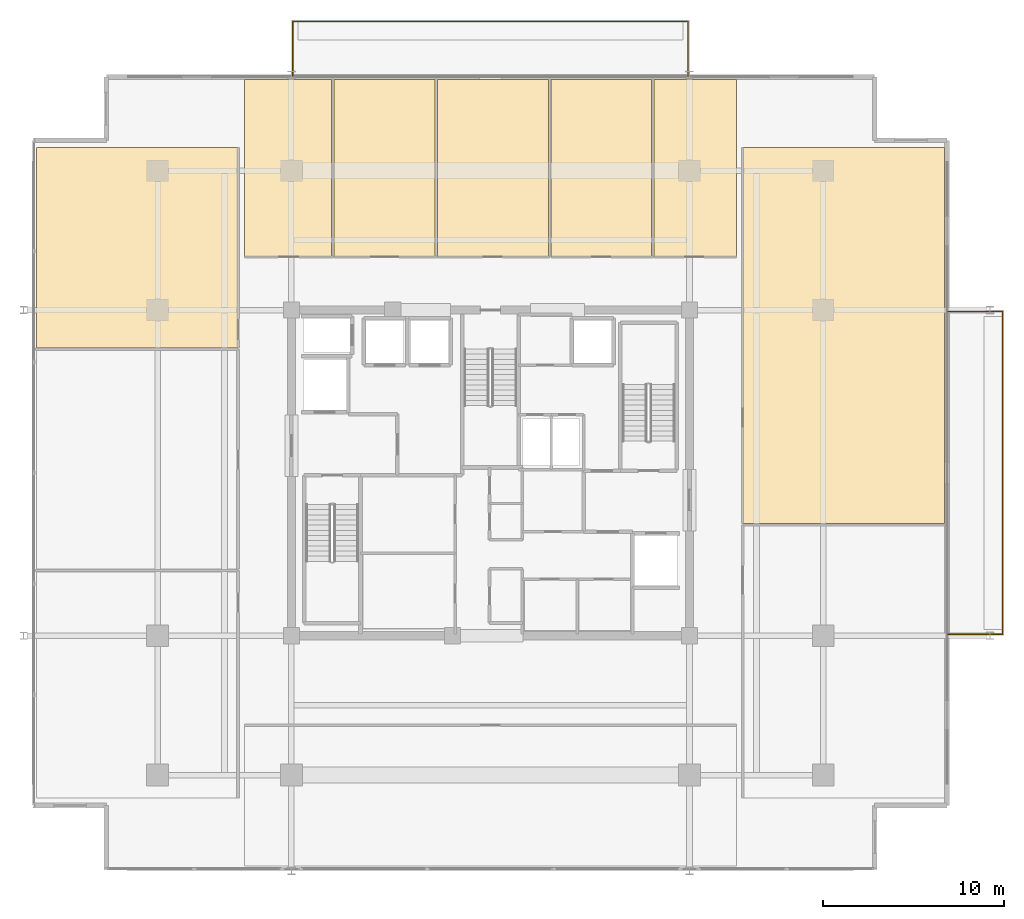
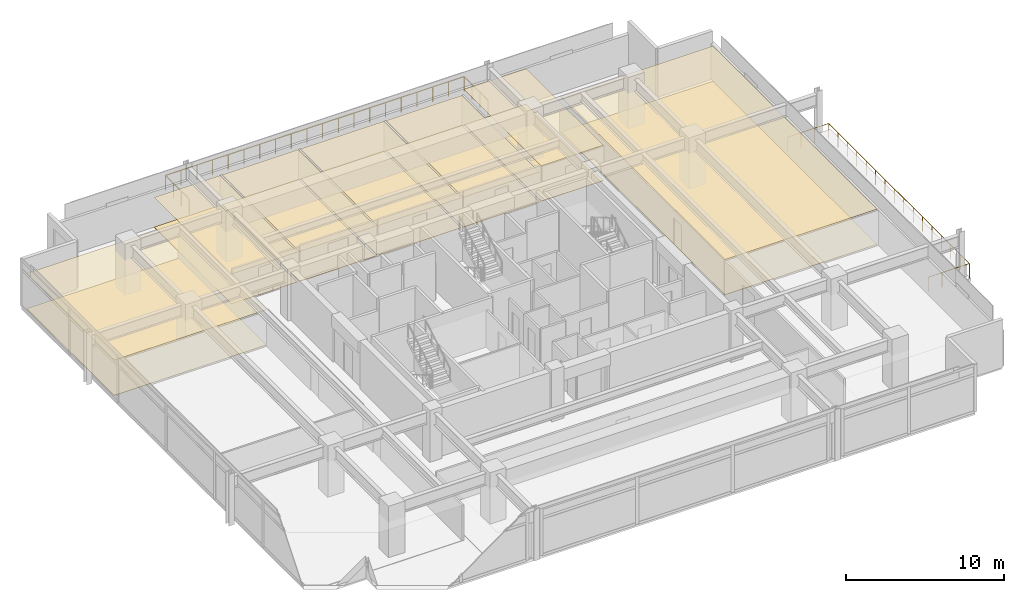
# One storey, part 20 of 20: 14 coverings, 2 railings.
"""IFC4 building model written with IfcOpenShell, lengths in metres."""

from ifc_helpers import new_model, si_unit, direction, frame, origin, origin_2d, place, context, subcontext, project, spatial, polyline, circle, outline, extrude, material, layer, layer_set, type_object, element, save


model = new_model("IFC4")

# Units and contexts
model_context = context("Model", 3, precision=1e-05, world=origin(), true_north=direction((0.0, 1.0)))
body_context = subcontext(model_context, "Body", "Model", "MODEL_VIEW")
ifc_project = project(units=[si_unit("LENGTHUNIT", "METRE"), si_unit("AREAUNIT", "SQUARE_METRE"), si_unit("VOLUMEUNIT", "CUBIC_METRE"), si_unit("PLANEANGLEUNIT", "RADIAN"), si_unit("MASSUNIT", "GRAM", prefix="KILO")], contexts=[model_context])

# Site, building, storey
site_placement = place(None, origin())
site = spatial("IfcSite", under=ifc_project, at=site_placement, CompositionType="ELEMENT")
building_placement = place(site_placement, origin())
building = spatial("IfcBuilding", under=site, at=building_placement, Name="Kovane Verandah Tower", CompositionType="ELEMENT")
storey_placement = place(building_placement, frame((0.0, 0.0, 291.199951171875)))
storey = spatial("IfcBuildingStorey", under=building, at=storey_placement, Name="L68", CompositionType="ELEMENT", Elevation=291.199951171875)

# Coverings
ifc_material_1 = material(Name="Perforated Acoustic Mineral-Fibre Ceiling Tile", Category="gypsum")
ifc_layer_1 = layer(ifc_material_1, 0.02490234375)
ifc_layer_set_1 = layer_set([ifc_layer_1], Name="Perforated Acoustic Mineral-Fibre Ceiling Tile")
covering_type_1 = type_object("IfcCoveringType", Name="CV-CEIL-25", PredefinedType="CEILING", material=ifc_layer_set_1)
covering_1_placement = place(storey_placement, frame((0.0, 0.0, 2.304931640625)))
element("IfcCovering", 1, at=covering_1_placement, inside=storey, type_object=covering_type_1, Name="L68 Executive Office N1 Acoustic Ceiling", PredefinedType="CEILING", context=body_context, shape_type="SweptSolid", body=[
    extrude(outline(polyline([(26.39990234375, 39.449951171875), (31.22607421875, 39.449951171875), (31.22607421875, 49.230712890625), (26.39990234375, 49.230712890625), (26.39990234375, 39.449951171875)])), origin(), (0.0, 0.0, 1.0), 0.025146484375),
])
covering_2_placement = place(storey_placement, frame((0.0, 0.0, 2.304931640625)))
element("IfcCovering", 2, at=covering_2_placement, inside=storey, type_object=covering_type_1, Name="L68 Client Boardroom N2 Acoustic Ceiling", PredefinedType="CEILING", context=body_context, shape_type="SweptSolid", body=[
    extrude(outline(polyline([(31.365966796875, 39.449951171875), (36.93798828125, 39.449951171875), (36.93798828125, 49.230712890625), (31.365966796875, 49.230712890625), (31.365966796875, 39.449951171875)])), origin(), (0.0, 0.0, 1.0), 0.025146484375),
])
covering_3_placement = place(storey_placement, frame((0.0, 0.0, 2.304931640625)))
element("IfcCovering", 3, at=covering_3_placement, inside=storey, type_object=covering_type_1, Name="L68 Meeting Room N3 Acoustic Ceiling", PredefinedType="CEILING", context=body_context, shape_type="SweptSolid", body=[
    extrude(outline(polyline([(37.077880859375, 39.449951171875), (43.194091796875, 39.449951171875), (43.194091796875, 49.230712890625), (37.077880859375, 49.230712890625), (37.077880859375, 39.449951171875)])), origin(), (0.0, 0.0, 1.0), 0.025146484375),
])
covering_4_placement = place(storey_placement, frame((0.0, 0.0, 2.304931640625)))
element("IfcCovering", 4, at=covering_4_placement, inside=storey, type_object=covering_type_1, Name="L68 Focus Studio N4 Acoustic Ceiling", PredefinedType="CEILING", context=body_context, shape_type="SweptSolid", body=[
    extrude(outline(polyline([(43.333984375, 39.449951171875), (48.906005859375, 39.449951171875), (48.906005859375, 49.230712890625), (43.333984375, 49.230712890625), (43.333984375, 39.449951171875)])), origin(), (0.0, 0.0, 1.0), 0.025146484375),
])
covering_5_placement = place(storey_placement, frame((0.0, 0.0, 2.728515625)))
element("IfcCovering", 5, at=covering_5_placement, inside=storey, type_object=covering_type_1, Name="L68 Breakout Pantry N5 Acoustic Ceiling", PredefinedType="CEILING", context=body_context, shape_type="SweptSolid", body=[
    extrude(outline(polyline([(49.0458984375, 39.449951171875), (53.60009765625, 39.449951171875), (53.60009765625, 49.230712890625), (49.0458984375, 49.230712890625), (49.0458984375, 39.449951171875)])), origin(), (0.0, 0.0, 1.0), 0.02490234375),
])
covering_6_placement = place(storey_placement, frame((0.0, 0.0, 2.728515625)))
element("IfcCovering", 6, at=covering_6_placement, inside=storey, type_object=covering_type_1, Name="L68 Executive Office W3 Acoustic Ceiling", PredefinedType="CEILING", context=body_context, shape_type="SweptSolid", body=[
    extrude(outline(polyline([(14.918212890625, 34.402587890625), (26.050048828125, 34.402587890625), (26.050048828125, 45.480712890625), (14.918212890625, 45.480712890625), (14.918212890625, 34.402587890625)])), origin(), (0.0, 0.0, 1.0), 0.02490234375),
])
covering_7_placement = place(storey_placement, frame((0.0, 0.0, 2.728515625)))
element("IfcCovering", 7, at=covering_7_placement, inside=storey, type_object=covering_type_1, Name="L68 Meeting Room E2 Acoustic Ceiling", PredefinedType="CEILING", context=body_context, shape_type="SweptSolid", body=[
    extrude(outline(polyline([(53.949951171875, 24.693115234375), (65.081787109375, 24.693115234375), (65.081787109375, 45.480712890625), (53.949951171875, 45.480712890625), (53.949951171875, 24.693115234375)])), origin(), (0.0, 0.0, 1.0), 0.02490234375),
])
ifc_material_2 = material(Name="Polished Terrazzo and Raised-Access Carpet Tile Finish", Category="concrete")
ifc_layer_2 = layer(ifc_material_2, 0.030029296875)
ifc_layer_set_2 = layer_set([ifc_layer_2], Name="Polished Terrazzo and Raised-Access Carpet Tile Finish")
covering_type_2 = type_object("IfcCoveringType", Name="CV-FLOR-30", PredefinedType="FLOORING", material=ifc_layer_set_2)
covering_8_placement = place(storey_placement, origin())
element("IfcCovering", 8, at=covering_8_placement, inside=storey, type_object=covering_type_2, Name="L68 Executive Office N1 Floor Finish", PredefinedType="FLOORING", context=body_context, shape_type="SweptSolid", body=[
    extrude(outline(polyline([(26.39990234375, 39.449951171875), (31.22607421875, 39.449951171875), (31.22607421875, 49.230712890625), (26.39990234375, 49.230712890625), (26.39990234375, 39.449951171875)])), origin(), (0.0, 0.0, 1.0), 0.030029296875),
])
covering_9_placement = place(storey_placement, origin())
element("IfcCovering", 9, at=covering_9_placement, inside=storey, type_object=covering_type_2, Name="L68 Client Boardroom N2 Floor Finish", PredefinedType="FLOORING", context=body_context, shape_type="SweptSolid", body=[
    extrude(outline(polyline([(31.365966796875, 39.449951171875), (36.93798828125, 39.449951171875), (36.93798828125, 49.230712890625), (31.365966796875, 49.230712890625), (31.365966796875, 39.449951171875)])), origin(), (0.0, 0.0, 1.0), 0.030029296875),
])
covering_10_placement = place(storey_placement, origin())
element("IfcCovering", 10, at=covering_10_placement, inside=storey, type_object=covering_type_2, Name="L68 Meeting Room N3 Floor Finish", PredefinedType="FLOORING", context=body_context, shape_type="SweptSolid", body=[
    extrude(outline(polyline([(37.077880859375, 39.449951171875), (43.194091796875, 39.449951171875), (43.194091796875, 49.230712890625), (37.077880859375, 49.230712890625), (37.077880859375, 39.449951171875)])), origin(), (0.0, 0.0, 1.0), 0.030029296875),
])
covering_11_placement = place(storey_placement, origin())
element("IfcCovering", 11, at=covering_11_placement, inside=storey, type_object=covering_type_2, Name="L68 Focus Studio N4 Floor Finish", PredefinedType="FLOORING", context=body_context, shape_type="SweptSolid", body=[
    extrude(outline(polyline([(43.333984375, 39.449951171875), (48.906005859375, 39.449951171875), (48.906005859375, 49.230712890625), (43.333984375, 49.230712890625), (43.333984375, 39.449951171875)])), origin(), (0.0, 0.0, 1.0), 0.030029296875),
])
covering_12_placement = place(storey_placement, origin())
element("IfcCovering", 12, at=covering_12_placement, inside=storey, type_object=covering_type_2, Name="L68 Breakout Pantry N5 Floor Finish", PredefinedType="FLOORING", context=body_context, shape_type="SweptSolid", body=[
    extrude(outline(polyline([(49.0458984375, 39.449951171875), (53.60009765625, 39.449951171875), (53.60009765625, 49.230712890625), (49.0458984375, 49.230712890625), (49.0458984375, 39.449951171875)])), origin(), (0.0, 0.0, 1.0), 0.030029296875),
])
covering_13_placement = place(storey_placement, origin())
element("IfcCovering", 13, at=covering_13_placement, inside=storey, type_object=covering_type_2, Name="L68 Executive Office W3 Floor Finish", PredefinedType="FLOORING", context=body_context, shape_type="SweptSolid", body=[
    extrude(outline(polyline([(14.918212890625, 34.402587890625), (26.050048828125, 34.402587890625), (26.050048828125, 45.480712890625), (14.918212890625, 45.480712890625), (14.918212890625, 34.402587890625)])), origin(), (0.0, 0.0, 1.0), 0.030029296875),
])
covering_14_placement = place(storey_placement, origin())
element("IfcCovering", 14, at=covering_14_placement, inside=storey, type_object=covering_type_2, Name="L68 Meeting Room E2 Floor Finish", PredefinedType="FLOORING", context=body_context, shape_type="SweptSolid", body=[
    extrude(outline(polyline([(53.949951171875, 24.693115234375), (65.081787109375, 24.693115234375), (65.081787109375, 45.480712890625), (53.949951171875, 45.480712890625), (53.949951171875, 24.693115234375)])), origin(), (0.0, 0.0, 1.0), 0.030029296875),
])

# Railings
ifc_material_3 = material(Name="Laminated Glass and Pale-Champagne Stainless Balustrade", Category="glass")
railing_type = type_object("IfcRailingType", Name="RL-BAL-1150", PredefinedType="BALUSTRADE", material=ifc_material_3)
railing_1_placement = place(storey_placement, frame((29.080078125, 49.4306640625, 0.0)))
element("IfcRailing", 15, at=railing_1_placement, inside=storey, type_object=railing_type, Name="L68 N Verandah Glass Balustrade", PredefinedType="BALUSTRADE", context=body_context, shape_type="SweptSolid", body=[
    extrude(circle(Radius=0.02392578125, at=origin_2d()), frame((0.0, 0.0, 1.1259765625), z_axis=(0.0, 1.0, 0.0), x_axis=(-1.0, 0.0, 0.0)), (0.0, 0.0, 1.0), 3.02001953125),
    extrude(circle(Radius=0.02392578125, at=origin_2d()), frame((0.0, 3.02001953125, 1.1259765625), z_axis=(1.0, 0.0, 0.0), x_axis=(0.0, 1.0, 0.0)), (0.0, 0.0, 1.0), 21.83984375),
    extrude(circle(Radius=0.02392578125, at=origin_2d()), frame((21.83984375, 3.02001953125, 1.1259765625), z_axis=(0.0, -1.0, 0.0), x_axis=(1.0, 0.0, 0.0)), (0.0, 0.0, 1.0), 3.02001953125),
    extrude(circle(Radius=0.02099609375, at=origin_2d()), origin(), (0.0, 0.0, 1.0), 1.101806640625),
    extrude(circle(Radius=0.02099609375, at=origin_2d()), frame((0.0, 1.006591796875, 0.0)), (0.0, 0.0, 1.0), 1.101806640625),
    extrude(circle(Radius=0.02099609375, at=origin_2d()), frame((0.0, 2.013427734375, 0.0)), (0.0, 0.0, 1.0), 1.101806640625),
    extrude(circle(Radius=0.02099609375, at=origin_2d()), frame((0.0, 3.02001953125, 0.0)), (0.0, 0.0, 1.0), 1.101806640625),
    extrude(circle(Radius=0.02099609375, at=origin_2d()), frame((1.1494140625, 3.02001953125, 0.0)), (0.0, 0.0, 1.0), 1.101806640625),
    extrude(circle(Radius=0.02099609375, at=origin_2d()), frame((2.298828125, 3.02001953125, 0.0)), (0.0, 0.0, 1.0), 1.101806640625),
    extrude(circle(Radius=0.02099609375, at=origin_2d()), frame((3.448486328125, 3.02001953125, 0.0)), (0.0, 0.0, 1.0), 1.101806640625),
    extrude(circle(Radius=0.02099609375, at=origin_2d()), frame((4.597900390625, 3.02001953125, 0.0)), (0.0, 0.0, 1.0), 1.101806640625),
    extrude(circle(Radius=0.02099609375, at=origin_2d()), frame((5.747314453125, 3.02001953125, 0.0)), (0.0, 0.0, 1.0), 1.101806640625),
    extrude(circle(Radius=0.02099609375, at=origin_2d()), frame((6.896728515625, 3.02001953125, 0.0)), (0.0, 0.0, 1.0), 1.101806640625),
    extrude(circle(Radius=0.02099609375, at=origin_2d()), frame((8.046142578125, 3.02001953125, 0.0)), (0.0, 0.0, 1.0), 1.101806640625),
    extrude(circle(Radius=0.02099609375, at=origin_2d()), frame((9.19580078125, 3.02001953125, 0.0)), (0.0, 0.0, 1.0), 1.101806640625),
    extrude(circle(Radius=0.02099609375, at=origin_2d()), frame((10.34521484375, 3.02001953125, 0.0)), (0.0, 0.0, 1.0), 1.101806640625),
    extrude(circle(Radius=0.02099609375, at=origin_2d()), frame((11.49462890625, 3.02001953125, 0.0)), (0.0, 0.0, 1.0), 1.101806640625),
    extrude(circle(Radius=0.02099609375, at=origin_2d()), frame((12.64404296875, 3.02001953125, 0.0)), (0.0, 0.0, 1.0), 1.101806640625),
    extrude(circle(Radius=0.02099609375, at=origin_2d()), frame((13.793701171875, 3.02001953125, 0.0)), (0.0, 0.0, 1.0), 1.101806640625),
    extrude(circle(Radius=0.02099609375, at=origin_2d()), frame((14.943115234375, 3.02001953125, 0.0)), (0.0, 0.0, 1.0), 1.101806640625),
    extrude(circle(Radius=0.02099609375, at=origin_2d()), frame((16.092529296875, 3.02001953125, 0.0)), (0.0, 0.0, 1.0), 1.101806640625),
    extrude(circle(Radius=0.02099609375, at=origin_2d()), frame((17.241943359375, 3.02001953125, 0.0)), (0.0, 0.0, 1.0), 1.101806640625),
    extrude(circle(Radius=0.02099609375, at=origin_2d()), frame((18.391357421875, 3.02001953125, 0.0)), (0.0, 0.0, 1.0), 1.101806640625),
    extrude(circle(Radius=0.02099609375, at=origin_2d()), frame((19.541015625, 3.02001953125, 0.0)), (0.0, 0.0, 1.0), 1.101806640625),
    extrude(circle(Radius=0.02099609375, at=origin_2d()), frame((20.6904296875, 3.02001953125, 0.0)), (0.0, 0.0, 1.0), 1.101806640625),
    extrude(circle(Radius=0.02099609375, at=origin_2d()), frame((21.83984375, 3.02001953125, 0.0)), (0.0, 0.0, 1.0), 1.101806640625),
    extrude(circle(Radius=0.02099609375, at=origin_2d()), frame((21.83984375, 2.013427734375, 0.0)), (0.0, 0.0, 1.0), 1.101806640625),
    extrude(circle(Radius=0.02099609375, at=origin_2d()), frame((21.83984375, 1.006591796875, 0.0)), (0.0, 0.0, 1.0), 1.101806640625),
    extrude(circle(Radius=0.02099609375, at=origin_2d()), frame((21.83984375, 0.0, 0.0)), (0.0, 0.0, 1.0), 1.101806640625),
])
railing_2_placement = place(storey_placement, frame((65.28173828125, 18.580078125, 0.0)))
element("IfcRailing", 16, at=railing_2_placement, inside=storey, type_object=railing_type, Name="L68 E Verandah Glass Balustrade", PredefinedType="BALUSTRADE", context=body_context, shape_type="SweptSolid", body=[
    extrude(circle(Radius=0.02392578125, at=origin_2d()), frame((0.0, 0.0, 1.1259765625), z_axis=(1.0, 0.0, 0.0), x_axis=(0.0, 1.0, 0.0)), (0.0, 0.0, 1.0), 3.02001953125),
    extrude(circle(Radius=0.02392578125, at=origin_2d()), frame((3.02001953125, 0.0, 1.1259765625), z_axis=(0.0, 1.0, 0.0), x_axis=(-1.0, 0.0, 0.0)), (0.0, 0.0, 1.0), 17.83984375),
    extrude(circle(Radius=0.02392578125, at=origin_2d()), frame((3.02001953125, 17.83984375, 1.1259765625), z_axis=(-1.0, 0.0, 0.0), x_axis=(0.0, -1.0, 0.0)), (0.0, 0.0, 1.0), 3.02001953125),
    extrude(circle(Radius=0.02099609375, at=origin_2d()), origin(), (0.0, 0.0, 1.0), 1.101806640625),
    extrude(circle(Radius=0.02099609375, at=origin_2d()), frame((1.006591796875, 0.0, 0.0)), (0.0, 0.0, 1.0), 1.101806640625),
    extrude(circle(Radius=0.02099609375, at=origin_2d()), frame((2.013427734375, 0.0, 0.0)), (0.0, 0.0, 1.0), 1.101806640625),
    extrude(circle(Radius=0.02099609375, at=origin_2d()), frame((3.02001953125, 0.0, 0.0)), (0.0, 0.0, 1.0), 1.101806640625),
    extrude(circle(Radius=0.02099609375, at=origin_2d()), frame((3.02001953125, 1.189208984375, 0.0)), (0.0, 0.0, 1.0), 1.101806640625),
    extrude(circle(Radius=0.02099609375, at=origin_2d()), frame((3.02001953125, 2.378662109375, 0.0)), (0.0, 0.0, 1.0), 1.101806640625),
    extrude(circle(Radius=0.02099609375, at=origin_2d()), frame((3.02001953125, 3.56787109375, 0.0)), (0.0, 0.0, 1.0), 1.101806640625),
    extrude(circle(Radius=0.02099609375, at=origin_2d()), frame((3.02001953125, 4.75732421875, 0.0)), (0.0, 0.0, 1.0), 1.101806640625),
    extrude(circle(Radius=0.02099609375, at=origin_2d()), frame((3.02001953125, 5.946533203125, 0.0)), (0.0, 0.0, 1.0), 1.101806640625),
    extrude(circle(Radius=0.02099609375, at=origin_2d()), frame((3.02001953125, 7.135986328125, 0.0)), (0.0, 0.0, 1.0), 1.101806640625),
    extrude(circle(Radius=0.02099609375, at=origin_2d()), frame((3.02001953125, 8.3251953125, 0.0)), (0.0, 0.0, 1.0), 1.101806640625),
    extrude(circle(Radius=0.02099609375, at=origin_2d()), frame((3.02001953125, 9.5146484375, 0.0)), (0.0, 0.0, 1.0), 1.101806640625),
    extrude(circle(Radius=0.02099609375, at=origin_2d()), frame((3.02001953125, 10.703857421875, 0.0)), (0.0, 0.0, 1.0), 1.101806640625),
    extrude(circle(Radius=0.02099609375, at=origin_2d()), frame((3.02001953125, 11.893310546875, 0.0)), (0.0, 0.0, 1.0), 1.101806640625),
    extrude(circle(Radius=0.02099609375, at=origin_2d()), frame((3.02001953125, 13.08251953125, 0.0)), (0.0, 0.0, 1.0), 1.101806640625),
    extrude(circle(Radius=0.02099609375, at=origin_2d()), frame((3.02001953125, 14.27197265625, 0.0)), (0.0, 0.0, 1.0), 1.101806640625),
    extrude(circle(Radius=0.02099609375, at=origin_2d()), frame((3.02001953125, 15.461181640625, 0.0)), (0.0, 0.0, 1.0), 1.101806640625),
    extrude(circle(Radius=0.02099609375, at=origin_2d()), frame((3.02001953125, 16.650634765625, 0.0)), (0.0, 0.0, 1.0), 1.101806640625),
    extrude(circle(Radius=0.02099609375, at=origin_2d()), frame((3.02001953125, 17.83984375, 0.0)), (0.0, 0.0, 1.0), 1.101806640625),
    extrude(circle(Radius=0.02099609375, at=origin_2d()), frame((2.013427734375, 17.83984375, 0.0)), (0.0, 0.0, 1.0), 1.101806640625),
    extrude(circle(Radius=0.02099609375, at=origin_2d()), frame((1.006591796875, 17.83984375, 0.0)), (0.0, 0.0, 1.0), 1.101806640625),
    extrude(circle(Radius=0.02099609375, at=origin_2d()), frame((0.0, 17.83984375, 0.0)), (0.0, 0.0, 1.0), 1.101806640625),
])

save(model, "model.ifc")
